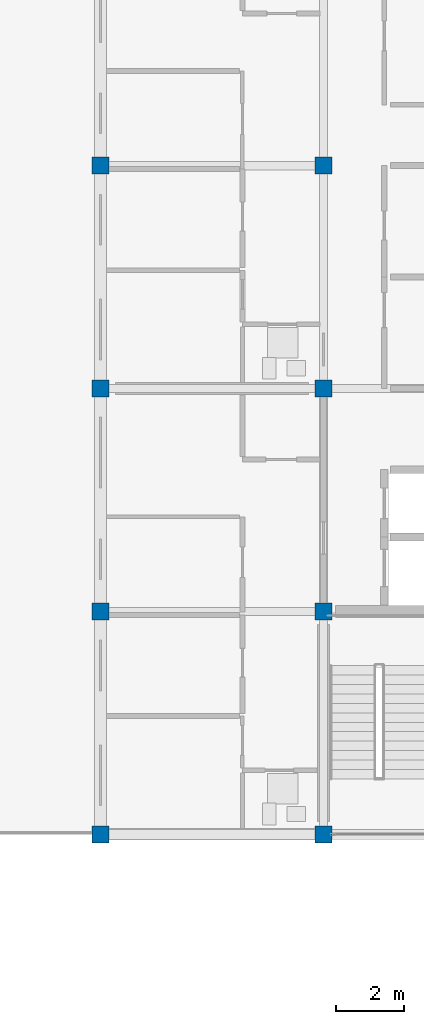
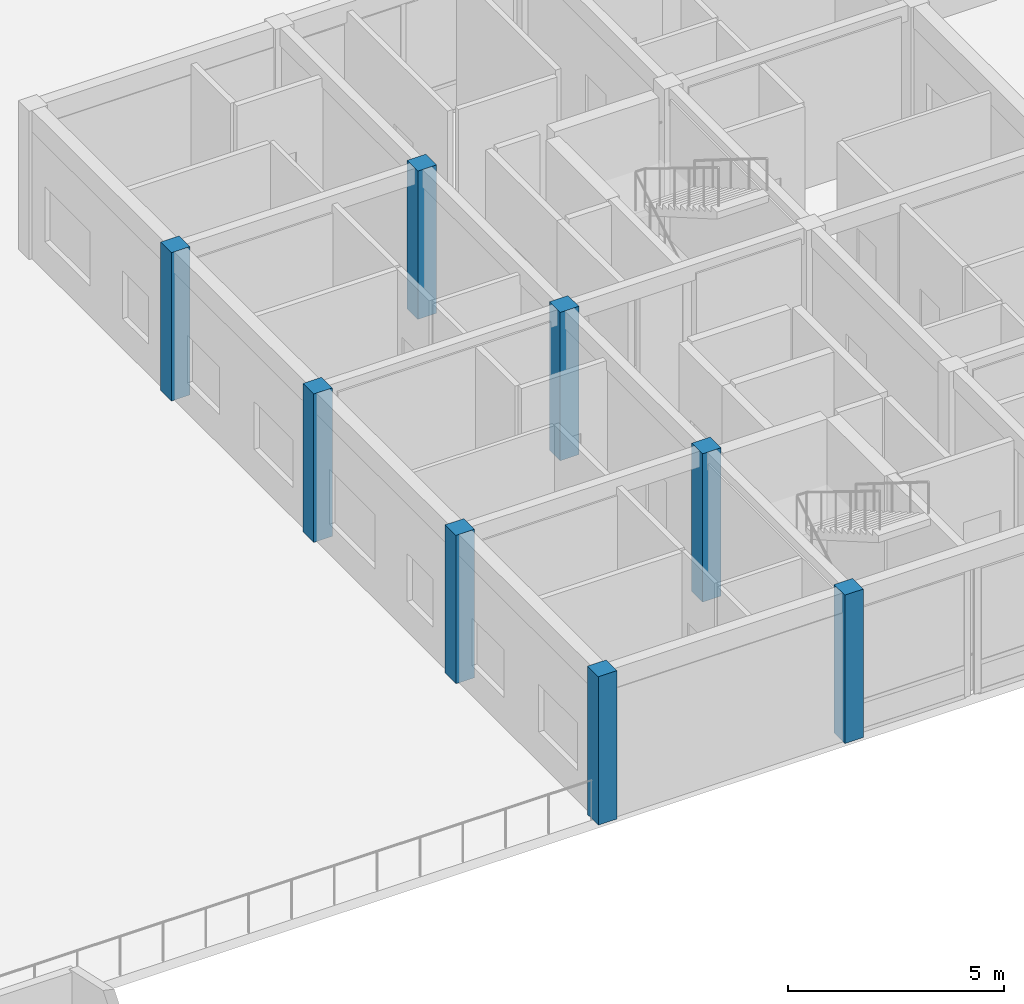
# One storey, part 3 of 92: 8 columns.
"""IFC4 building model written with IfcOpenShell, lengths in metres."""

from ifc_helpers import new_model, si_unit, direction, frame, origin, origin_2d, place, context, subcontext, project, spatial, rectangle, extrude, material, material_profile, profile_set, type_object, element, save


model = new_model("IFC4")

# Units and contexts
model_context = context("Model", 3, precision=1e-05, world=origin(), true_north=direction((0.0, 1.0)))
body_context = subcontext(model_context, "Body", "Model", "MODEL_VIEW")
ifc_project = project(units=[si_unit("LENGTHUNIT", "METRE"), si_unit("AREAUNIT", "SQUARE_METRE"), si_unit("VOLUMEUNIT", "CUBIC_METRE"), si_unit("PLANEANGLEUNIT", "RADIAN"), si_unit("MASSUNIT", "GRAM", prefix="KILO")], contexts=[model_context])

# Site, building, storey
site_placement = place(None, origin())
site = spatial("IfcSite", under=ifc_project, at=site_placement, CompositionType="ELEMENT")
building_placement = place(site_placement, origin())
building = spatial("IfcBuilding", under=site, at=building_placement, Name="Kernevlak Ridge Housing Community", CompositionType="ELEMENT")
storey_placement = place(building_placement, frame((0.0, 0.0, 4.199951171875)))
storey = spatial("IfcBuildingStorey", under=building, at=storey_placement, Name="L01", CompositionType="ELEMENT", Elevation=4.199951171875)

# Columns
ifc_material = material(Name="Concrete C40/50", Category="concrete")
ifc_material_profile = material_profile(ifc_material, rectangle(XDim=0.5, YDim=0.5, at=origin_2d()), Name="RC 500x500")
ifc_profile_set = profile_set([ifc_material_profile], Name="Concrete C40/50")
column_type = type_object("IfcColumnType", Name="C-03", PredefinedType="COLUMN", material=ifc_profile_set)
for number, where, z_axis, x_axis, name in (
    (1, (126.0, 15.60009765625, 0.0), (0.0, 0.0, 1.0), (1.0, 0.0, 0.0), "Column C-03 COL-C-L01-00-0"),
    (2, (132.60009765625, 15.60009765625, 0.0), (0.0, 0.0, 1.0), (1.0, 0.0, 0.0), "Column C-03 COL-C-L01-00-1"),
    (3, (126.0, 22.199951171875, 0.0), (0.0, 0.0, 1.0), (1.0, 0.0, 0.0), "Column C-03 COL-C-L01-01-0"),
    (4, (132.60009765625, 22.199951171875, 0.0), (0.0, 0.0, 1.0), (1.0, 0.0, 0.0), "Column C-03 COL-C-L01-01-1"),
    (5, (126.0, 28.800048828125, 0.0), (0.0, 0.0, 1.0), (1.0, 0.0, 0.0), "Column C-03 COL-C-L01-02-0"),
    (6, (132.60009765625, 28.800048828125, 0.0), (0.0, 0.0, 1.0), (1.0, 0.0, 0.0), "Column C-03 COL-C-L01-02-1"),
    (7, (126.0, 35.39990234375, 0.0), (0.0, 0.0, 1.0), (1.0, 0.0, 0.0), "Column C-03 COL-C-L01-03-0"),
    (8, (132.60009765625, 35.39990234375, 0.0), (0.0, 0.0, 1.0), (1.0, 0.0, 0.0), "Column C-03 COL-C-L01-03-1"),
):
    element("IfcColumn", number, at=place(storey_placement, frame(where, z_axis=z_axis, x_axis=x_axis)), inside=storey, type_object=column_type, Name=name, PredefinedType="COLUMN", context=body_context, shape_type="SweptSolid", body=[
        extrude(rectangle(XDim=0.5, YDim=0.5, at=origin_2d()), origin(), (0.0, 0.0, 1.0), 4.199951171875),
    ])

save(model, "model.ifc")
